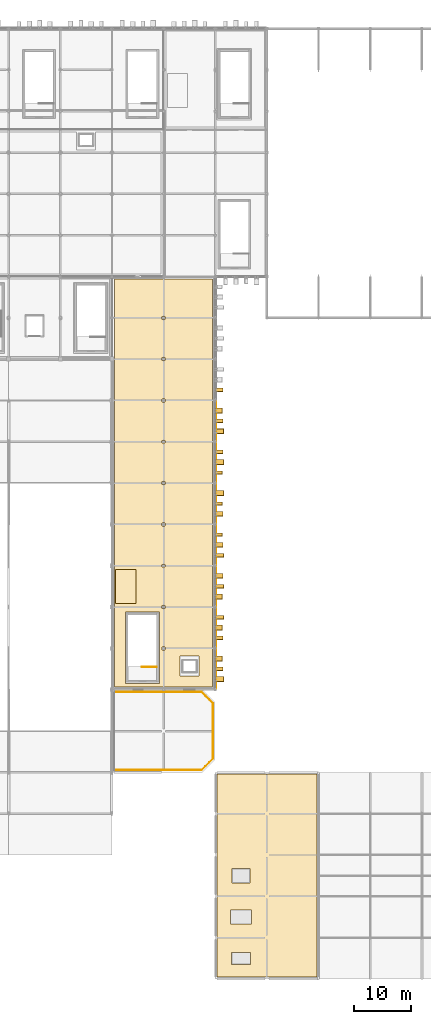
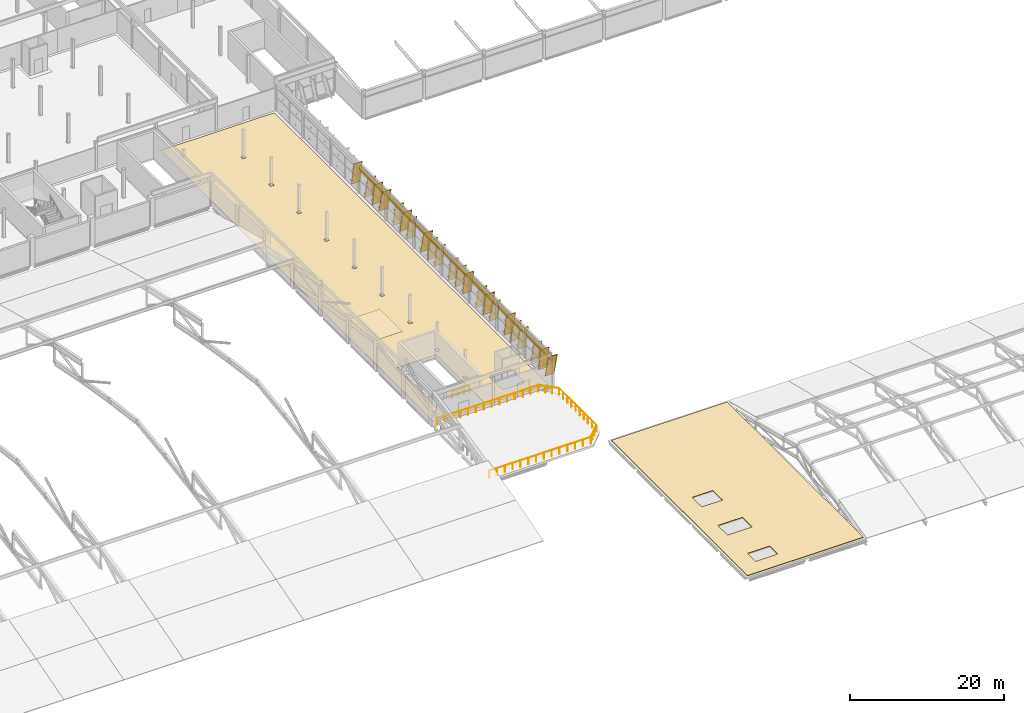
# One storey, part 117 of 124: 32 coverings, 22 shading devices, 6 railings.
"""IFC4 building model written with IfcOpenShell, lengths in metres."""

from ifc_helpers import new_model, si_unit, direction, frame, origin, origin_2d, place, context, subcontext, project, spatial, polyline, rectangle, circle, outline, extrude, material, layer, layer_set, material_profile, profile_set, type_object, element, save


model = new_model("IFC4")

# Units and contexts
model_context = context("Model", 3, precision=1e-05, world=origin(), true_north=direction((0.0, 1.0)))
body_context = subcontext(model_context, "Body", "Model", "MODEL_VIEW")
ifc_project = project(units=[si_unit("LENGTHUNIT", "METRE"), si_unit("AREAUNIT", "SQUARE_METRE"), si_unit("VOLUMEUNIT", "CUBIC_METRE"), si_unit("PLANEANGLEUNIT", "RADIAN"), si_unit("MASSUNIT", "GRAM", prefix="KILO")], contexts=[model_context])

# Site, building, storey
site_placement = place(None, origin())
site = spatial("IfcSite", under=ifc_project, at=site_placement, CompositionType="ELEMENT")
building_placement = place(site_placement, origin())
building = spatial("IfcBuilding", under=site, at=building_placement, Name="Celestram Park Convention Centre", CompositionType="ELEMENT")
storey_placement = place(building_placement, frame((0.0, 0.0, 15.300048828125)))
storey = spatial("IfcBuildingStorey", under=building, at=storey_placement, Name="L03", CompositionType="ELEMENT", Elevation=15.300048828125)

# Coverings
ifc_material_1 = material(Name="Anodised Bronze Aluminium Spandrel Cladding", Category="aluminium")
ifc_layer_1 = layer(ifc_material_1, 0.050048828125)
ifc_layer_set_1 = layer_set([ifc_layer_1], Name="Anodised Bronze Aluminium Spandrel Cladding")
covering_type_1 = type_object("IfcCoveringType", Name="ARC-COV-CLD060", PredefinedType="CLADDING", material=ifc_layer_set_1)
for number, where, z_axis, x_axis, name in (
    (1, (144.080078125, 97.199951171875, 3.66796875), (0.0, 0.0, 1.0), (0.0, -1.0, 0.0), "Bronze spandrel cladding CL-L03-220"),
    (2, (144.080078125, 90.0, 3.66796875), (0.0, 0.0, 1.0), (0.0, -1.0, 0.0), "Bronze spandrel cladding CL-L03-221"),
    (3, (144.080078125, 82.800048828125, 3.66796875), (0.0, 0.0, 1.0), (0.0, -1.0, 0.0), "Bronze spandrel cladding CL-L03-222"),
    (4, (144.080078125, 75.60009765625, 3.66796875), (0.0, 0.0, 1.0), (0.0, -1.0, 0.0), "Bronze spandrel cladding CL-L03-223"),
    (5, (144.080078125, 68.39990234375, 3.66796875), (0.0, 0.0, 1.0), (0.0, -1.0, 0.0), "Bronze spandrel cladding CL-L03-224"),
    (6, (144.080078125, 61.199951171875, 3.66796875), (0.0, 0.0, 1.0), (0.0, -1.0, 0.0), "Bronze spandrel cladding CL-L03-225"),
    (7, (144.080078125, 54.0, 3.66796875), (0.0, 0.0, 1.0), (0.0, -1.0, 0.0), "Bronze spandrel cladding CL-L03-226"),
):
    element("IfcCovering", number, at=place(storey_placement, frame(where, z_axis=z_axis, x_axis=x_axis)), inside=storey, type_object=covering_type_1, Name=name, PredefinedType="CLADDING", context=body_context, shape_type="SweptSolid", body=[
        extrude(rectangle(XDim=6.85400390625, YDim=0.1201171875, at=origin_2d()), origin(), (0.0, 0.0, 1.0), 0.83203125),
    ])
ifc_material_2 = material(Name="Perforated Acoustic Mineral-Fibre Baffle Ceiling", Category="gypsum")
ifc_layer_2 = layer(ifc_material_2, 0.0400390625)
ifc_layer_set_2 = layer_set([ifc_layer_2], Name="Perforated Acoustic Mineral-Fibre Baffle Ceiling")
covering_type_2 = type_object("IfcCoveringType", Name="ARC-COV-CLG040", PredefinedType="CEILING", material=ifc_layer_set_2)
covering_1_placement = place(storey_placement, frame((0.0, 0.0, 4.219970703125)))
element("IfcCovering", 8, at=covering_1_placement, inside=storey, type_object=covering_type_2, Name="Garden Terrace VIP Briefing Room acoustic baffle ceiling", PredefinedType="CEILING", context=body_context, shape_type="SweptSolid", body=[
    extrude(outline(polyline([(126.64990234375, 65.449951171875), (130.14990234375, 65.449951171875), (130.14990234375, 71.35009765625), (126.64990234375, 71.35009765625), (126.64990234375, 65.449951171875)])), origin(), (0.0, 0.0, 1.0), 0.0400390625),
])
ifc_material_3 = material(Name="Timber-Toned Anodised Aluminium Alloy 6063-T6", Category="wood")
ifc_material_profile_1 = material_profile(ifc_material_3, rectangle(XDim=1.1201171875, YDim=0.090087890625, at=origin_2d()), Name="REED1120X90")
ifc_profile_set_1 = profile_set([ifc_material_profile_1], Name="Timber-Toned Anodised Aluminium Alloy 6063-T6")
covering_type_3 = type_object("IfcCoveringType", Name="ARC-COV-FIN1120", PredefinedType="CLADDING", material=ifc_profile_set_1)
covering_2_placement = place(storey_placement, frame((144.639892578125, 99.42138671875, 0.054443359375), z_axis=(0.0, -0.231656817308, 0.972797573493), x_axis=(1.0, 0.0, 0.0)))
element("IfcCovering", 9, at=covering_2_placement, inside=storey, type_object=covering_type_3, Name="Leaning timber-toned reed fin RFN-L03-0702", PredefinedType="CLADDING", context=body_context, shape_type="SweptSolid", body=[
    extrude(rectangle(XDim=1.1201171875, YDim=0.090087890625, at=origin_2d()), origin(), (0.0, 0.0, 1.0), 3.637939453125),
])
for number, where, z_axis, x_axis, name in (
    (10, (144.639892578125, 88.49072265625, 0.0283203125), (0.0, -0.159848483968, 0.987141561364), (1.0, 0.0, 0.0), "Leaning timber-toned reed fin RFN-L03-0707"),
    (11, (144.639892578125, 83.0908203125, 0.0283203125), (0.0, -0.159848483968, 0.987141561364), (1.0, 0.0, 0.0), "Leaning timber-toned reed fin RFN-L03-0709"),
    (12, (144.639892578125, 77.69091796875, 0.0283203125), (0.0, -0.159913875069, 0.987130970318), (1.0, 0.0, 0.0), "Leaning timber-toned reed fin RFN-L03-0711"),
    (13, (144.639892578125, 67.021484375, 0.054443359375), (0.0, -0.231720322485, 0.97278244852), (1.0, 0.0, 0.0), "Leaning timber-toned reed fin RFN-L03-0716"),
    (14, (144.639892578125, 61.62158203125, 0.054443359375), (0.0, -0.231720322485, 0.97278244852), (1.0, 0.0, 0.0), "Leaning timber-toned reed fin RFN-L03-0718"),
    (15, (144.639892578125, 56.221435546875, 0.054443359375), (0.0, -0.231720322485, 0.97278244852), (1.0, 0.0, 0.0), "Leaning timber-toned reed fin RFN-L03-0720"),
):
    element("IfcCovering", number, at=place(storey_placement, frame(where, z_axis=z_axis, x_axis=x_axis)), inside=storey, type_object=covering_type_3, Name=name, PredefinedType="CLADDING", context=body_context, shape_type="SweptSolid", body=[
        extrude(rectangle(XDim=1.1201171875, YDim=0.090087890625, at=origin_2d()), origin(), (0.0, 0.0, 1.0), 3.63818359375),
    ])
ifc_material_profile_2 = material_profile(ifc_material_3, rectangle(XDim=1.280029296875, YDim=0.090087890625, at=origin_2d()), Name="REED1280X90")
ifc_profile_set_2 = profile_set([ifc_material_profile_2], Name="Timber-Toned Anodised Aluminium Alloy 6063-T6")
covering_type_4 = type_object("IfcCoveringType", Name="ARC-COV-FIN1280", PredefinedType="CLADDING", material=ifc_profile_set_2)
covering_3_placement = place(storey_placement, frame((144.719970703125, 102.90966796875, 0.031494140625), z_axis=(0.0, -0.170250733232, 0.985400775235), x_axis=(1.0, 0.0, 0.0)))
element("IfcCovering", 16, at=covering_3_placement, inside=storey, type_object=covering_type_4, Name="Leaning timber-toned reed fin RFN-L03-0701", PredefinedType="CLADDING", context=body_context, shape_type="SweptSolid", body=[
    extrude(rectangle(XDim=1.280029296875, YDim=0.090087890625, at=origin_2d()), origin(), (0.0, 0.0, 1.0), 3.63818359375),
])
for number, where, z_axis, x_axis, name in (
    (17, (144.719970703125, 97.509521484375, 0.031494140625), (0.0, -0.170185570127, 0.985412031447), (1.0, 0.0, 0.0), "Leaning timber-toned reed fin RFN-L03-0703"),
    (18, (144.719970703125, 92.109619140625, 0.031494140625), (0.0, -0.170185570127, 0.985412031447), (1.0, 0.0, 0.0), "Leaning timber-toned reed fin RFN-L03-0705"),
    (19, (144.719970703125, 81.38134765625, 0.04541015625), (0.0, -0.209648246417, 0.977776872694), (1.0, 0.0, 0.0), "Leaning timber-toned reed fin RFN-L03-0710"),
    (20, (144.719970703125, 75.981201171875, 0.04541015625), (0.0, -0.209584085746, 0.977790627385), (1.0, 0.0, 0.0), "Leaning timber-toned reed fin RFN-L03-0712"),
    (21, (144.719970703125, 70.581298828125, 0.04541015625), (0.0, -0.209648246417, 0.977776872694), (1.0, 0.0, 0.0), "Leaning timber-toned reed fin RFN-L03-0714"),
):
    element("IfcCovering", number, at=place(storey_placement, frame(where, z_axis=z_axis, x_axis=x_axis)), inside=storey, type_object=covering_type_4, Name=name, PredefinedType="CLADDING", context=body_context, shape_type="SweptSolid", body=[
        extrude(rectangle(XDim=1.280029296875, YDim=0.090087890625, at=origin_2d()), origin(), (0.0, 0.0, 1.0), 3.637939453125),
    ])
covering_4_placement = place(storey_placement, frame((144.719970703125, 59.709716796875, 0.031494140625), z_axis=(0.0, -0.170250733232, 0.985400775235), x_axis=(1.0, 0.0, 0.0)))
element("IfcCovering", 22, at=covering_4_placement, inside=storey, type_object=covering_type_4, Name="Leaning timber-toned reed fin RFN-L03-0719", PredefinedType="CLADDING", context=body_context, shape_type="SweptSolid", body=[
    extrude(rectangle(XDim=1.280029296875, YDim=0.090087890625, at=origin_2d()), origin(), (0.0, 0.0, 1.0), 3.63818359375),
])
covering_5_placement = place(storey_placement, frame((144.719970703125, 54.3095703125, 0.031494140625), z_axis=(0.0, -0.170185570127, 0.985412031447), x_axis=(1.0, 0.0, 0.0)))
element("IfcCovering", 23, at=covering_5_placement, inside=storey, type_object=covering_type_4, Name="Leaning timber-toned reed fin RFN-L03-0721", PredefinedType="CLADDING", context=body_context, shape_type="SweptSolid", body=[
    extrude(rectangle(XDim=1.280029296875, YDim=0.090087890625, at=origin_2d()), origin(), (0.0, 0.0, 1.0), 3.637939453125),
])
ifc_material_profile_3 = material_profile(ifc_material_3, rectangle(XDim=1.419921875, YDim=0.090087890625, at=origin_2d()), Name="REED1420X90")
ifc_profile_set_3 = profile_set([ifc_material_profile_3], Name="Timber-Toned Anodised Aluminium Alloy 6063-T6")
covering_type_5 = type_object("IfcCoveringType", Name="ARC-COV-FIN1420", PredefinedType="CLADDING", material=ifc_profile_set_3)
for number, where, z_axis, x_axis, name in (
    (24, (144.7900390625, 95.833984375, 0.057373046875), (0.0, -0.238570259636, 0.971125239718), (1.0, 0.0, 0.0), "Leaning timber-toned reed fin RFN-L03-0704"),
    (25, (144.7900390625, 90.433837890625, 0.057373046875), (0.0, -0.23850696927, 0.971140785679), (1.0, 0.0, 0.0), "Leaning timber-toned reed fin RFN-L03-0706"),
    (26, (144.7900390625, 85.033935546875, 0.057373046875), (0.0, -0.238570259636, 0.971125239718), (1.0, 0.0, 0.0), "Leaning timber-toned reed fin RFN-L03-0708"),
    (27, (144.7900390625, 74.12841796875, 0.034912109375), (0.0, -0.180526977983, 0.983570033206), (1.0, 0.0, 0.0), "Leaning timber-toned reed fin RFN-L03-0713"),
    (28, (144.7900390625, 68.728515625, 0.034912109375), (0.0, -0.180591900077, 0.983558115023), (1.0, 0.0, 0.0), "Leaning timber-toned reed fin RFN-L03-0715"),
    (29, (144.7900390625, 63.328369140625, 0.034912109375), (0.0, -0.180526977983, 0.983570033206), (1.0, 0.0, 0.0), "Leaning timber-toned reed fin RFN-L03-0717"),
    (30, (144.7900390625, 52.6337890625, 0.057373046875), (0.0, -0.23850696927, 0.971140785679), (1.0, 0.0, 0.0), "Leaning timber-toned reed fin RFN-L03-0722"),
):
    element("IfcCovering", number, at=place(storey_placement, frame(where, z_axis=z_axis, x_axis=x_axis)), inside=storey, type_object=covering_type_5, Name=name, PredefinedType="CLADDING", context=body_context, shape_type="SweptSolid", body=[
        extrude(rectangle(XDim=1.419921875, YDim=0.090087890625, at=origin_2d()), origin(), (0.0, 0.0, 1.0), 3.637939453125),
    ])
ifc_material_4 = material(Name="Polished Lakefront Aggregate Terrazzo Flooring", Category="concrete")
ifc_layer_3 = layer(ifc_material_4, 0.02001953125)
ifc_layer_set_3 = layer_set([ifc_layer_3], Name="Polished Lakefront Aggregate Terrazzo Flooring")
covering_type_6 = type_object("IfcCoveringType", Name="ARC-COV-FLR020", PredefinedType="FLOORING", material=ifc_layer_set_3)
covering_6_placement = place(storey_placement, origin())
element("IfcCovering", 31, at=covering_6_placement, inside=storey, type_object=covering_type_6, Name="Garden Terrace VIP Briefing Room terrazzo flooring", PredefinedType="FLOORING", context=body_context, shape_type="SweptSolid", body=[
    extrude(outline(polyline([(143.550048828125, 121.949951171875), (143.550048828125, 50.85009765625), (126.449951171875, 50.85009765625), (126.449951171875, 121.949951171875), (143.550048828125, 121.949951171875)]), holes=[polyline([(141.14990234375, 56.25), (137.85009765625, 56.25), (137.85009765625, 52.75), (141.14990234375, 52.75), (141.14990234375, 56.25)]), polyline([(134.300048828125, 63.89990234375), (128.340087890625, 63.89990234375), (128.340087890625, 51.5), (134.300048828125, 51.5), (134.300048828125, 63.89990234375)]), polyline([(134.7470703125, 57.85302734375), (134.7470703125, 57.346923828125), (135.2529296875, 57.346923828125), (135.2529296875, 57.85302734375), (134.7470703125, 57.85302734375)]), polyline([(135.2529296875, 65.052978515625), (134.7470703125, 65.052978515625), (134.7470703125, 64.547119140625), (135.2529296875, 64.547119140625), (135.2529296875, 65.052978515625)]), polyline([(134.7470703125, 72.2529296875), (134.7470703125, 71.7470703125), (135.2529296875, 71.7470703125), (135.2529296875, 72.2529296875), (134.7470703125, 72.2529296875)]), polyline([(135.2529296875, 79.452880859375), (134.7470703125, 79.452880859375), (134.7470703125, 78.947021484375), (135.2529296875, 78.947021484375), (135.2529296875, 79.452880859375)]), polyline([(135.2529296875, 86.653076171875), (134.7470703125, 86.653076171875), (134.7470703125, 86.14697265625), (135.2529296875, 86.14697265625), (135.2529296875, 86.653076171875)]), polyline([(134.7470703125, 93.85302734375), (134.7470703125, 93.346923828125), (135.2529296875, 93.346923828125), (135.2529296875, 93.85302734375), (134.7470703125, 93.85302734375)]), polyline([(134.7470703125, 101.052978515625), (134.7470703125, 100.547119140625), (135.2529296875, 100.547119140625), (135.2529296875, 101.052978515625), (134.7470703125, 101.052978515625)]), polyline([(135.2529296875, 108.2529296875), (134.7470703125, 108.2529296875), (134.7470703125, 107.7470703125), (135.2529296875, 107.7470703125), (135.2529296875, 108.2529296875)]), polyline([(135.2529296875, 115.452880859375), (134.7470703125, 115.452880859375), (134.7470703125, 114.947021484375), (135.2529296875, 114.947021484375), (135.2529296875, 115.452880859375)])]), origin(), (0.0, 0.0, 1.0), 0.02001953125),
])
ifc_material_5 = material(Name="TPO Membrane & Polyisocyanurate Roof Insulation", Category="insulation")
ifc_layer_4 = layer(ifc_material_5, 0.080078125)
ifc_layer_set_4 = layer_set([ifc_layer_4], Name="TPO Membrane & Polyisocyanurate Roof Insulation")
covering_type_7 = type_object("IfcCoveringType", Name="ARC-COV-RFG180", PredefinedType="ROOFING", material=ifc_layer_set_4)
covering_7_placement = place(storey_placement, origin())
element("IfcCovering", 32, at=covering_7_placement, inside=storey, type_object=covering_type_7, Name="Insulated TPO roof membrane RFG-L03-03", PredefinedType="ROOFING", context=body_context, shape_type="SweptSolid", body=[
    extrude(outline(polyline([(161.699951171875, 35.699951171875), (161.699951171875, 0.300048828125), (144.300048828125, 0.300048828125), (144.300048828125, 35.699951171875), (161.699951171875, 35.699951171875)]), holes=[polyline([(150.14990234375, 2.550048828125), (150.14990234375, 4.64990234375), (146.85009765625, 4.64990234375), (146.85009765625, 2.550048828125), (150.14990234375, 2.550048828125)]), polyline([(146.64990234375, 9.550048828125), (150.35009765625, 9.550048828125), (150.35009765625, 12.050048828125), (146.64990234375, 12.050048828125), (146.64990234375, 9.550048828125)]), polyline([(146.949951171875, 16.75), (150.050048828125, 16.75), (150.050048828125, 19.25), (146.949951171875, 19.25), (146.949951171875, 16.75)])]), origin(), (0.0, 0.0, 1.0), 0.079833984375),
])

# Shading devices
ifc_material_6 = material(Name="Anodised Bronze Aluminium Alloy 6063-T6", Category="aluminium")
ifc_material_profile_4 = material_profile(ifc_material_6, rectangle(XDim=1.280029296875, YDim=0.080078125, at=origin_2d()), Name="FIN1280X80")
ifc_profile_set_4 = profile_set([ifc_material_profile_4], Name="Anodised Bronze Aluminium Alloy 6063-T6")
shading_device_type = type_object("IfcShadingDeviceType", Name="ARC-FIN-BZ1280", PredefinedType="USERDEFINED", material=ifc_profile_set_4)
shading_device_1_placement = place(storey_placement, frame((144.719970703125, 102.90966796875, 0.031494140625), z_axis=(0.0, -0.170250733232, 0.985400775235), x_axis=(1.0, 0.0, 0.0)))
element("IfcShadingDevice", 33, at=shading_device_1_placement, inside=storey, type_object=shading_device_type, Name="Expressive solar fin FN-L03-0701", ObjectType="SOLAR_FIN", PredefinedType="USERDEFINED", context=body_context, shape_type="SweptSolid", body=[
    extrude(rectangle(XDim=1.280029296875, YDim=0.080078125, at=origin_2d()), origin(), (0.0, 0.0, 1.0), 3.63818359375),
])
for number, where, z_axis, x_axis, name in (
    (34, (144.639892578125, 99.42138671875, 0.054443359375), (0.0, -0.231656817308, 0.972797573493), (1.0, 0.0, 0.0), "Expressive solar fin FN-L03-0702"),
    (35, (144.719970703125, 97.509521484375, 0.031494140625), (0.0, -0.170185570127, 0.985412031447), (1.0, 0.0, 0.0), "Expressive solar fin FN-L03-0703"),
    (36, (144.7900390625, 95.833984375, 0.057373046875), (0.0, -0.238570259636, 0.971125239718), (1.0, 0.0, 0.0), "Expressive solar fin FN-L03-0704"),
    (37, (144.719970703125, 92.109619140625, 0.031494140625), (0.0, -0.170185570127, 0.985412031447), (1.0, 0.0, 0.0), "Expressive solar fin FN-L03-0705"),
    (38, (144.7900390625, 90.433837890625, 0.057373046875), (0.0, -0.23850696927, 0.971140785679), (1.0, 0.0, 0.0), "Expressive solar fin FN-L03-0706"),
):
    element("IfcShadingDevice", number, at=place(storey_placement, frame(where, z_axis=z_axis, x_axis=x_axis)), inside=storey, type_object=shading_device_type, Name=name, ObjectType="SOLAR_FIN", PredefinedType="USERDEFINED", context=body_context, shape_type="SweptSolid", body=[
        extrude(rectangle(XDim=1.280029296875, YDim=0.080078125, at=origin_2d()), origin(), (0.0, 0.0, 1.0), 3.637939453125),
    ])
shading_device_2_placement = place(storey_placement, frame((144.639892578125, 88.49072265625, 0.0283203125), z_axis=(0.0, -0.159848483968, 0.987141561364), x_axis=(1.0, 0.0, 0.0)))
element("IfcShadingDevice", 39, at=shading_device_2_placement, inside=storey, type_object=shading_device_type, Name="Expressive solar fin FN-L03-0707", ObjectType="SOLAR_FIN", PredefinedType="USERDEFINED", context=body_context, shape_type="SweptSolid", body=[
    extrude(rectangle(XDim=1.280029296875, YDim=0.080078125, at=origin_2d()), origin(), (0.0, 0.0, 1.0), 3.63818359375),
])
shading_device_3_placement = place(storey_placement, frame((144.7900390625, 85.033935546875, 0.057373046875), z_axis=(0.0, -0.238570259636, 0.971125239718), x_axis=(1.0, 0.0, 0.0)))
element("IfcShadingDevice", 40, at=shading_device_3_placement, inside=storey, type_object=shading_device_type, Name="Expressive solar fin FN-L03-0708", ObjectType="SOLAR_FIN", PredefinedType="USERDEFINED", context=body_context, shape_type="SweptSolid", body=[
    extrude(rectangle(XDim=1.280029296875, YDim=0.080078125, at=origin_2d()), origin(), (0.0, 0.0, 1.0), 3.637939453125),
])
shading_device_4_placement = place(storey_placement, frame((144.639892578125, 83.0908203125, 0.0283203125), z_axis=(0.0, -0.159848483968, 0.987141561364), x_axis=(1.0, 0.0, 0.0)))
element("IfcShadingDevice", 41, at=shading_device_4_placement, inside=storey, type_object=shading_device_type, Name="Expressive solar fin FN-L03-0709", ObjectType="SOLAR_FIN", PredefinedType="USERDEFINED", context=body_context, shape_type="SweptSolid", body=[
    extrude(rectangle(XDim=1.280029296875, YDim=0.080078125, at=origin_2d()), origin(), (0.0, 0.0, 1.0), 3.63818359375),
])
shading_device_5_placement = place(storey_placement, frame((144.719970703125, 81.38134765625, 0.04541015625), z_axis=(0.0, -0.209648246417, 0.977776872694), x_axis=(1.0, 0.0, 0.0)))
element("IfcShadingDevice", 42, at=shading_device_5_placement, inside=storey, type_object=shading_device_type, Name="Expressive solar fin FN-L03-0710", ObjectType="SOLAR_FIN", PredefinedType="USERDEFINED", context=body_context, shape_type="SweptSolid", body=[
    extrude(rectangle(XDim=1.280029296875, YDim=0.080078125, at=origin_2d()), origin(), (0.0, 0.0, 1.0), 3.637939453125),
])
shading_device_6_placement = place(storey_placement, frame((144.639892578125, 77.69091796875, 0.0283203125), z_axis=(0.0, -0.159913875069, 0.987130970318), x_axis=(1.0, 0.0, 0.0)))
element("IfcShadingDevice", 43, at=shading_device_6_placement, inside=storey, type_object=shading_device_type, Name="Expressive solar fin FN-L03-0711", ObjectType="SOLAR_FIN", PredefinedType="USERDEFINED", context=body_context, shape_type="SweptSolid", body=[
    extrude(rectangle(XDim=1.280029296875, YDim=0.080078125, at=origin_2d()), origin(), (0.0, 0.0, 1.0), 3.63818359375),
])
for number, where, z_axis, x_axis, name in (
    (44, (144.719970703125, 75.981201171875, 0.04541015625), (0.0, -0.209584085746, 0.977790627385), (1.0, 0.0, 0.0), "Expressive solar fin FN-L03-0712"),
    (45, (144.7900390625, 74.12841796875, 0.034912109375), (0.0, -0.180526977983, 0.983570033206), (1.0, 0.0, 0.0), "Expressive solar fin FN-L03-0713"),
    (46, (144.719970703125, 70.581298828125, 0.04541015625), (0.0, -0.209648246417, 0.977776872694), (1.0, 0.0, 0.0), "Expressive solar fin FN-L03-0714"),
    (47, (144.7900390625, 68.728515625, 0.034912109375), (0.0, -0.180591900077, 0.983558115023), (1.0, 0.0, 0.0), "Expressive solar fin FN-L03-0715"),
):
    element("IfcShadingDevice", number, at=place(storey_placement, frame(where, z_axis=z_axis, x_axis=x_axis)), inside=storey, type_object=shading_device_type, Name=name, ObjectType="SOLAR_FIN", PredefinedType="USERDEFINED", context=body_context, shape_type="SweptSolid", body=[
        extrude(rectangle(XDim=1.280029296875, YDim=0.080078125, at=origin_2d()), origin(), (0.0, 0.0, 1.0), 3.637939453125),
    ])
shading_device_7_placement = place(storey_placement, frame((144.639892578125, 67.021484375, 0.054443359375), z_axis=(0.0, -0.231720322485, 0.97278244852), x_axis=(1.0, 0.0, 0.0)))
element("IfcShadingDevice", 48, at=shading_device_7_placement, inside=storey, type_object=shading_device_type, Name="Expressive solar fin FN-L03-0716", ObjectType="SOLAR_FIN", PredefinedType="USERDEFINED", context=body_context, shape_type="SweptSolid", body=[
    extrude(rectangle(XDim=1.280029296875, YDim=0.080078125, at=origin_2d()), origin(), (0.0, 0.0, 1.0), 3.63818359375),
])
shading_device_8_placement = place(storey_placement, frame((144.7900390625, 63.328369140625, 0.034912109375), z_axis=(0.0, -0.180526977983, 0.983570033206), x_axis=(1.0, 0.0, 0.0)))
element("IfcShadingDevice", 49, at=shading_device_8_placement, inside=storey, type_object=shading_device_type, Name="Expressive solar fin FN-L03-0717", ObjectType="SOLAR_FIN", PredefinedType="USERDEFINED", context=body_context, shape_type="SweptSolid", body=[
    extrude(rectangle(XDim=1.280029296875, YDim=0.080078125, at=origin_2d()), origin(), (0.0, 0.0, 1.0), 3.637939453125),
])
for number, where, z_axis, x_axis, name in (
    (50, (144.639892578125, 61.62158203125, 0.054443359375), (0.0, -0.231720322485, 0.97278244852), (1.0, 0.0, 0.0), "Expressive solar fin FN-L03-0718"),
    (51, (144.719970703125, 59.709716796875, 0.031494140625), (0.0, -0.170250733232, 0.985400775235), (1.0, 0.0, 0.0), "Expressive solar fin FN-L03-0719"),
    (52, (144.639892578125, 56.221435546875, 0.054443359375), (0.0, -0.231720322485, 0.97278244852), (1.0, 0.0, 0.0), "Expressive solar fin FN-L03-0720"),
):
    element("IfcShadingDevice", number, at=place(storey_placement, frame(where, z_axis=z_axis, x_axis=x_axis)), inside=storey, type_object=shading_device_type, Name=name, ObjectType="SOLAR_FIN", PredefinedType="USERDEFINED", context=body_context, shape_type="SweptSolid", body=[
        extrude(rectangle(XDim=1.280029296875, YDim=0.080078125, at=origin_2d()), origin(), (0.0, 0.0, 1.0), 3.63818359375),
    ])
for number, where, z_axis, x_axis, name in (
    (53, (144.719970703125, 54.3095703125, 0.031494140625), (0.0, -0.170185570127, 0.985412031447), (1.0, 0.0, 0.0), "Expressive solar fin FN-L03-0721"),
    (54, (144.7900390625, 52.6337890625, 0.057373046875), (0.0, -0.23850696927, 0.971140785679), (1.0, 0.0, 0.0), "Expressive solar fin FN-L03-0722"),
):
    element("IfcShadingDevice", number, at=place(storey_placement, frame(where, z_axis=z_axis, x_axis=x_axis)), inside=storey, type_object=shading_device_type, Name=name, ObjectType="SOLAR_FIN", PredefinedType="USERDEFINED", context=body_context, shape_type="SweptSolid", body=[
        extrude(rectangle(XDim=1.280029296875, YDim=0.080078125, at=origin_2d()), origin(), (0.0, 0.0, 1.0), 3.637939453125),
    ])

# Railings
ifc_material_7 = material(Name="Stainless Steel AISI 316L & Laminated Glass", Category="steel")
ifc_layer_5 = layer(ifc_material_7, 0.06005859375)
ifc_layer_set_5 = layer_set([ifc_layer_5], Name="Stainless Steel AISI 316L & Laminated Glass")
railing_type = type_object("IfcRailingType", Name="ARC-RL-GRD1120", PredefinedType="GUARDRAIL", material=ifc_layer_set_5)
railing_1_placement = place(storey_placement, frame((126.39990234375, 50.0, 0.0)))
element("IfcRailing", 55, at=railing_1_placement, inside=storey, type_object=railing_type, Name="Terrace perimeter safety guard RL-L03-TG002", PredefinedType="GUARDRAIL", context=body_context, shape_type="SweptSolid", body=[
    extrude(circle(Radius=0.02392578125, at=origin_2d()), frame((0.0, 0.0, 1.09619140625), z_axis=(1.0, 0.0, 0.0), x_axis=(0.0, 1.0, 0.0)), (0.0, 0.0, 1.0), 15.234375),
    extrude(circle(Radius=0.02099609375, at=origin_2d()), origin(), (0.0, 0.0, 1.0), 1.072021484375),
    extrude(circle(Radius=0.02099609375, at=origin_2d()), frame((1.171875, 0.0, 0.0)), (0.0, 0.0, 1.0), 1.072021484375),
    extrude(circle(Radius=0.02099609375, at=origin_2d()), frame((2.34375, 0.0, 0.0)), (0.0, 0.0, 1.0), 1.072021484375),
    extrude(circle(Radius=0.02099609375, at=origin_2d()), frame((3.515625, 0.0, 0.0)), (0.0, 0.0, 1.0), 1.072021484375),
    extrude(circle(Radius=0.02099609375, at=origin_2d()), frame((4.6875, 0.0, 0.0)), (0.0, 0.0, 1.0), 1.072021484375),
    extrude(circle(Radius=0.02099609375, at=origin_2d()), frame((5.859375, 0.0, 0.0)), (0.0, 0.0, 1.0), 1.072021484375),
    extrude(circle(Radius=0.02099609375, at=origin_2d()), frame((7.03125, 0.0, 0.0)), (0.0, 0.0, 1.0), 1.072021484375),
    extrude(circle(Radius=0.02099609375, at=origin_2d()), frame((8.203125, 0.0, 0.0)), (0.0, 0.0, 1.0), 1.072021484375),
    extrude(circle(Radius=0.02099609375, at=origin_2d()), frame((9.375, 0.0, 0.0)), (0.0, 0.0, 1.0), 1.072021484375),
    extrude(circle(Radius=0.02099609375, at=origin_2d()), frame((10.546875, 0.0, 0.0)), (0.0, 0.0, 1.0), 1.072021484375),
    extrude(circle(Radius=0.02099609375, at=origin_2d()), frame((11.71875, 0.0, 0.0)), (0.0, 0.0, 1.0), 1.072021484375),
    extrude(circle(Radius=0.02099609375, at=origin_2d()), frame((12.890625, 0.0, 0.0)), (0.0, 0.0, 1.0), 1.072021484375),
    extrude(circle(Radius=0.02099609375, at=origin_2d()), frame((14.0625, 0.0, 0.0)), (0.0, 0.0, 1.0), 1.072021484375),
    extrude(circle(Radius=0.02099609375, at=origin_2d()), frame((15.234375, 0.0, 0.0)), (0.0, 0.0, 1.0), 1.072021484375),
])
railing_2_placement = place(storey_placement, frame((141.63427734375, 50.0, 0.0)))
element("IfcRailing", 56, at=railing_2_placement, inside=storey, type_object=railing_type, Name="Terrace perimeter safety guard RL-L03-TG003", PredefinedType="GUARDRAIL", context=body_context, shape_type="SweptSolid", body=[
    extrude(circle(Radius=0.02392578125, at=origin_2d()), frame((0.0, 0.0, 1.09619140625), z_axis=(0.707106781187, -0.707106781187, 0.0), x_axis=(0.707106781187, 0.707106781187, 0.0)), (0.0, 0.0, 1.0), 2.780029296875),
    extrude(circle(Radius=0.02099609375, at=origin_2d()), origin(), (0.0, 0.0, 1.0), 1.072021484375),
    extrude(circle(Radius=0.02099609375, at=origin_2d()), frame((0.6552734375, -0.6552734375, 0.0)), (0.0, 0.0, 1.0), 1.072021484375),
    extrude(circle(Radius=0.02099609375, at=origin_2d()), frame((1.310546875, -1.310546875, 0.0)), (0.0, 0.0, 1.0), 1.072021484375),
    extrude(circle(Radius=0.02099609375, at=origin_2d()), frame((1.9658203125, -1.9658203125, 0.0)), (0.0, 0.0, 1.0), 1.072021484375),
])
railing_3_placement = place(storey_placement, frame((143.60009765625, 48.0341796875, 0.0)))
element("IfcRailing", 57, at=railing_3_placement, inside=storey, type_object=railing_type, Name="Terrace perimeter safety guard RL-L03-TG004", PredefinedType="GUARDRAIL", context=body_context, shape_type="SweptSolid", body=[
    extrude(circle(Radius=0.02392578125, at=origin_2d()), frame((0.0, 0.0, 1.09619140625), z_axis=(0.0, -1.0, 0.0), x_axis=(1.0, 0.0, 0.0)), (0.0, 0.0, 1.0), 9.66845703125),
    extrude(circle(Radius=0.02099609375, at=origin_2d()), origin(), (0.0, 0.0, 1.0), 1.072021484375),
    extrude(circle(Radius=0.02099609375, at=origin_2d()), frame((0.0, -1.07421875, 0.0)), (0.0, 0.0, 1.0), 1.072021484375),
    extrude(circle(Radius=0.02099609375, at=origin_2d()), frame((0.0, -2.1484375, 0.0)), (0.0, 0.0, 1.0), 1.072021484375),
    extrude(circle(Radius=0.02099609375, at=origin_2d()), frame((0.0, -3.222900390625, 0.0)), (0.0, 0.0, 1.0), 1.072021484375),
    extrude(circle(Radius=0.02099609375, at=origin_2d()), frame((0.0, -4.297119140625, 0.0)), (0.0, 0.0, 1.0), 1.072021484375),
    extrude(circle(Radius=0.02099609375, at=origin_2d()), frame((0.0, -5.371337890625, 0.0)), (0.0, 0.0, 1.0), 1.072021484375),
    extrude(circle(Radius=0.02099609375, at=origin_2d()), frame((0.0, -6.445556640625, 0.0)), (0.0, 0.0, 1.0), 1.072021484375),
    extrude(circle(Radius=0.02099609375, at=origin_2d()), frame((0.0, -7.52001953125, 0.0)), (0.0, 0.0, 1.0), 1.072021484375),
    extrude(circle(Radius=0.02099609375, at=origin_2d()), frame((0.0, -8.59423828125, 0.0)), (0.0, 0.0, 1.0), 1.072021484375),
    extrude(circle(Radius=0.02099609375, at=origin_2d()), frame((0.0, -9.66845703125, 0.0)), (0.0, 0.0, 1.0), 1.072021484375),
])
railing_4_placement = place(storey_placement, frame((143.60009765625, 38.36572265625, 0.0)))
element("IfcRailing", 58, at=railing_4_placement, inside=storey, type_object=railing_type, Name="Terrace perimeter safety guard RL-L03-TG005", PredefinedType="GUARDRAIL", context=body_context, shape_type="SweptSolid", body=[
    extrude(circle(Radius=0.02392578125, at=origin_2d()), frame((0.0, 0.0, 1.09619140625), z_axis=(-0.707106781187, -0.707106781187, 0.0), x_axis=(0.707106781187, -0.707106781187, 0.0)), (0.0, 0.0, 1.0), 2.780029296875),
    extrude(circle(Radius=0.02099609375, at=origin_2d()), origin(), (0.0, 0.0, 1.0), 1.072021484375),
    extrude(circle(Radius=0.02099609375, at=origin_2d()), frame((-0.6552734375, -0.6552734375, 0.0)), (0.0, 0.0, 1.0), 1.072021484375),
    extrude(circle(Radius=0.02099609375, at=origin_2d()), frame((-1.310546875, -1.310546875, 0.0)), (0.0, 0.0, 1.0), 1.072021484375),
    extrude(circle(Radius=0.02099609375, at=origin_2d()), frame((-1.9658203125, -1.9658203125, 0.0)), (0.0, 0.0, 1.0), 1.072021484375),
])
railing_5_placement = place(storey_placement, frame((141.63427734375, 36.39990234375, 0.0)))
element("IfcRailing", 59, at=railing_5_placement, inside=storey, type_object=railing_type, Name="Terrace perimeter safety guard RL-L03-TG006", PredefinedType="GUARDRAIL", context=body_context, shape_type="SweptSolid", body=[
    extrude(circle(Radius=0.02392578125, at=origin_2d()), frame((0.0, 0.0, 1.09619140625), z_axis=(-1.0, 0.0, 0.0), x_axis=(0.0, -1.0, 0.0)), (0.0, 0.0, 1.0), 15.234375),
    extrude(circle(Radius=0.02099609375, at=origin_2d()), origin(), (0.0, 0.0, 1.0), 1.072021484375),
    extrude(circle(Radius=0.02099609375, at=origin_2d()), frame((-1.171875, 0.0, 0.0)), (0.0, 0.0, 1.0), 1.072021484375),
    extrude(circle(Radius=0.02099609375, at=origin_2d()), frame((-2.34375, 0.0, 0.0)), (0.0, 0.0, 1.0), 1.072021484375),
    extrude(circle(Radius=0.02099609375, at=origin_2d()), frame((-3.515625, 0.0, 0.0)), (0.0, 0.0, 1.0), 1.072021484375),
    extrude(circle(Radius=0.02099609375, at=origin_2d()), frame((-4.6875, 0.0, 0.0)), (0.0, 0.0, 1.0), 1.072021484375),
    extrude(circle(Radius=0.02099609375, at=origin_2d()), frame((-5.859375, 0.0, 0.0)), (0.0, 0.0, 1.0), 1.072021484375),
    extrude(circle(Radius=0.02099609375, at=origin_2d()), frame((-7.03125, 0.0, 0.0)), (0.0, 0.0, 1.0), 1.072021484375),
    extrude(circle(Radius=0.02099609375, at=origin_2d()), frame((-8.203125, 0.0, 0.0)), (0.0, 0.0, 1.0), 1.072021484375),
    extrude(circle(Radius=0.02099609375, at=origin_2d()), frame((-9.375, 0.0, 0.0)), (0.0, 0.0, 1.0), 1.072021484375),
    extrude(circle(Radius=0.02099609375, at=origin_2d()), frame((-10.546875, 0.0, 0.0)), (0.0, 0.0, 1.0), 1.072021484375),
    extrude(circle(Radius=0.02099609375, at=origin_2d()), frame((-11.71875, 0.0, 0.0)), (0.0, 0.0, 1.0), 1.072021484375),
    extrude(circle(Radius=0.02099609375, at=origin_2d()), frame((-12.890625, 0.0, 0.0)), (0.0, 0.0, 1.0), 1.072021484375),
    extrude(circle(Radius=0.02099609375, at=origin_2d()), frame((-14.0625, 0.0, 0.0)), (0.0, 0.0, 1.0), 1.072021484375),
    extrude(circle(Radius=0.02099609375, at=origin_2d()), frame((-15.234375, 0.0, 0.0)), (0.0, 0.0, 1.0), 1.072021484375),
])
railing_6_placement = place(storey_placement, frame((133.800048828125, 54.35009765625, 0.0)))
element("IfcRailing", 60, at=railing_6_placement, inside=storey, type_object=railing_type, Name="L03 ST-04 top well guard 1", PredefinedType="GUARDRAIL", context=body_context, shape_type="SweptSolid", body=[
    extrude(circle(Radius=0.02392578125, at=origin_2d()), frame((0.0, 0.0, 1.09619140625), z_axis=(-1.0, 0.0, 0.0), x_axis=(0.0, -1.0, 0.0)), (0.0, 0.0, 1.0), 2.56005859375),
    extrude(circle(Radius=0.02099609375, at=origin_2d()), origin(), (0.0, 0.0, 1.0), 1.072021484375),
    extrude(circle(Radius=0.02099609375, at=origin_2d()), frame((-0.853271484375, 0.0, 0.0)), (0.0, 0.0, 1.0), 1.072021484375),
    extrude(circle(Radius=0.02099609375, at=origin_2d()), frame((-1.706787109375, 0.0, 0.0)), (0.0, 0.0, 1.0), 1.072021484375),
    extrude(circle(Radius=0.02099609375, at=origin_2d()), frame((-2.56005859375, 0.0, 0.0)), (0.0, 0.0, 1.0), 1.072021484375),
])

save(model, "model.ifc")
